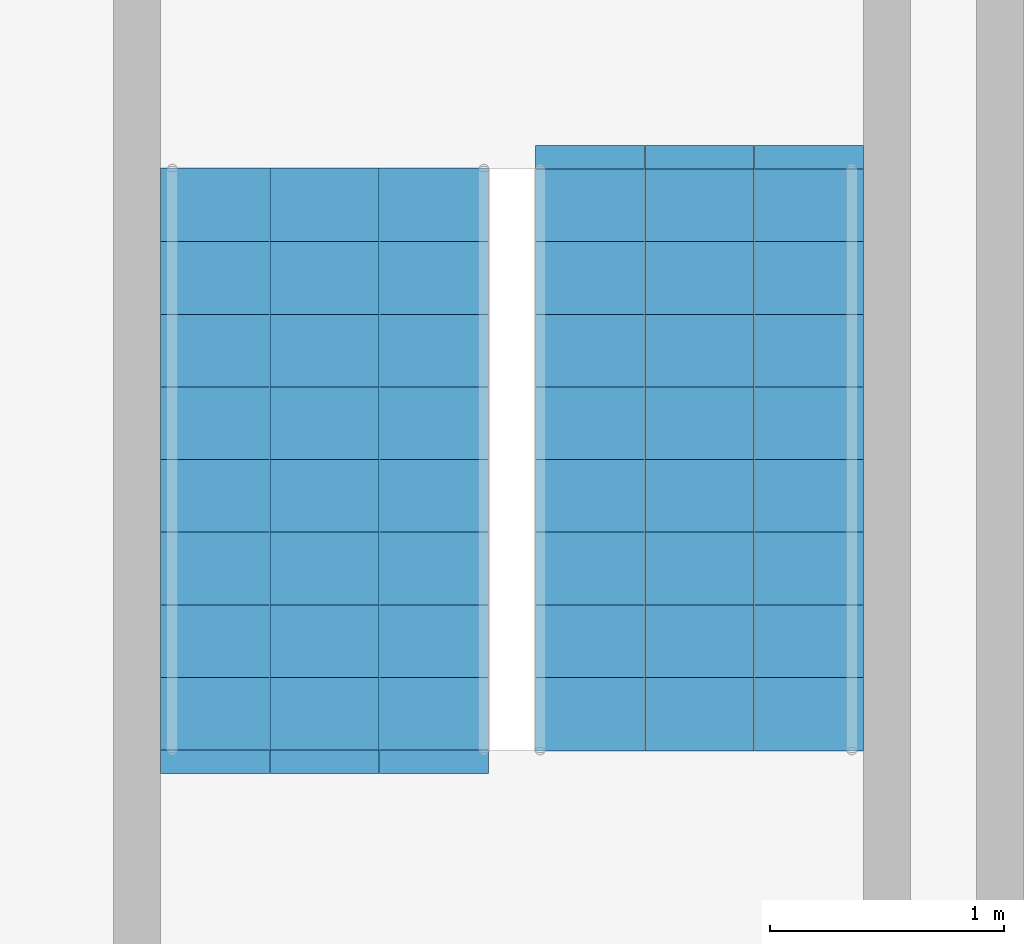
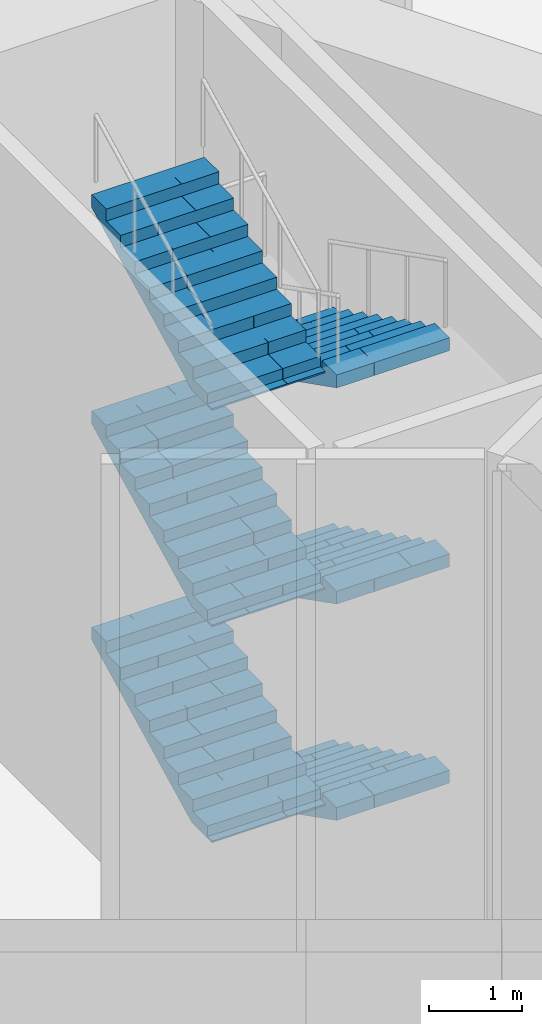
# One storey, part 34 of 41: 6 stair flights, 1 element without a shape of its own.
"""IFC4 building model written with IfcOpenShell, lengths in metres."""

from ifc_helpers import new_model, si_unit, direction, frame, origin, place, context, subcontext, project, spatial, polyline, outline, extrude, material, type_object, element, aggregate, save


model = new_model("IFC4")

# Units and contexts
model_context = context("Model", 3, precision=1e-05, world=origin(), true_north=direction((0.0, 1.0)))
body_context = subcontext(model_context, "Body", "Model", "MODEL_VIEW")
ifc_project = project(units=[si_unit("LENGTHUNIT", "METRE"), si_unit("AREAUNIT", "SQUARE_METRE"), si_unit("VOLUMEUNIT", "CUBIC_METRE"), si_unit("PLANEANGLEUNIT", "RADIAN"), si_unit("MASSUNIT", "GRAM", prefix="KILO")], contexts=[model_context])

# Site, building, storey
site_placement = place(None, origin())
site = spatial("IfcSite", under=ifc_project, at=site_placement, CompositionType="ELEMENT")
building_placement = place(site_placement, origin())
building = spatial("IfcBuilding", under=site, at=building_placement, Name="Triada Interchange Tower", CompositionType="ELEMENT")
storey_placement = place(building_placement, origin())
storey = spatial("IfcBuildingStorey", under=building, at=storey_placement, Name="L00", CompositionType="ELEMENT", Elevation=0.0)

# Stair, stair flights
ifc_material = material(Name="Concrete C35/45", Category="concrete")
stair_type = type_object("IfcStairType", Name="HALF TURN STAIR 1400", PredefinedType="HALF_TURN_STAIR", material=ifc_material)
stair_placement = place(storey_placement, origin())
stair = element("IfcStair", 1, at=stair_placement, inside=storey, type_object=stair_type, Name="Exit stair S00-1", PredefinedType="HALF_TURN_STAIR")
stair_flight_type = type_object("IfcStairFlightType", Name="STRAIGHT STAIR FLIGHT 1400", PredefinedType="STRAIGHT", material=ifc_material)
stair_flight_1_placement = place(storey_placement, frame((0.800048828125, 11.60009765625, 0.0), z_axis=(0.0, 0.0, 1.0), x_axis=(0.0, -1.0, 0.0)))
stair_flight_1 = element("IfcStairFlight", 2, at=stair_flight_1_placement, type_object=stair_flight_type, Name="S00-1 flight 1", NumberOfRisers=9, NumberOfTreads=8, PredefinedType="STRAIGHT", RiserHeight=0.15741, TreadLength=0.31, context=body_context, shape_type="SweptSolid", body=[
    extrude(outline(polyline([(-0.10009765625, 0.0), (-0.10009765625, 0.02001953125), (0.0, 0.02001953125), (0.0, 0.157470703125), (0.31005859375, 0.157470703125), (0.31005859375, 0.31494140625), (0.6201171875, 0.31494140625), (0.6201171875, 0.47216796875), (0.929931640625, 0.47216796875), (0.929931640625, 0.629638671875), (1.239990234375, 0.629638671875), (1.239990234375, 0.787109375), (1.550048828125, 0.787109375), (1.550048828125, 0.944580078125), (1.860107421875, 0.944580078125), (1.860107421875, 1.101806640625), (2.169921875, 1.101806640625), (2.169921875, 1.25927734375), (2.47998046875, 1.25927734375), (2.48388671875, 1.25927734375), (2.48388671875, 1.416748046875), (2.48388671875, 1.091064453125), (0.3310546875, 0.0), (-0.10009765625, 0.0)])), frame((0.0, 0.699951171875, 0.0), z_axis=(0.0, -1.0, 0.0), x_axis=(1.0, 0.0, 0.0)), (0.0, 0.0, 1.0), 0.46533203125),
    extrude(outline(polyline([(-0.10009765625, 0.0), (-0.10009765625, 0.02001953125), (0.0, 0.02001953125), (0.0, 0.157470703125), (0.31005859375, 0.157470703125), (0.31005859375, 0.31494140625), (0.6201171875, 0.31494140625), (0.6201171875, 0.47216796875), (0.929931640625, 0.47216796875), (0.929931640625, 0.629638671875), (1.239990234375, 0.629638671875), (1.239990234375, 0.787109375), (1.550048828125, 0.787109375), (1.550048828125, 0.944580078125), (1.860107421875, 0.944580078125), (1.860107421875, 1.101806640625), (2.169921875, 1.101806640625), (2.169921875, 1.25927734375), (2.47998046875, 1.25927734375), (2.48388671875, 1.25927734375), (2.48388671875, 1.416748046875), (2.48388671875, 1.091064453125), (0.3310546875, 0.0), (-0.10009765625, 0.0)])), frame((0.0, 0.232666015625, 0.0), z_axis=(0.0, -1.0, 0.0), x_axis=(1.0, 0.0, 0.0)), (0.0, 0.0, 1.0), 0.46533203125),
    extrude(outline(polyline([(-0.10009765625, 0.0), (-0.10009765625, 0.02001953125), (0.0, 0.02001953125), (0.0, 0.157470703125), (0.31005859375, 0.157470703125), (0.31005859375, 0.31494140625), (0.6201171875, 0.31494140625), (0.6201171875, 0.47216796875), (0.929931640625, 0.47216796875), (0.929931640625, 0.629638671875), (1.239990234375, 0.629638671875), (1.239990234375, 0.787109375), (1.550048828125, 0.787109375), (1.550048828125, 0.944580078125), (1.860107421875, 0.944580078125), (1.860107421875, 1.101806640625), (2.169921875, 1.101806640625), (2.169921875, 1.25927734375), (2.47998046875, 1.25927734375), (2.48388671875, 1.25927734375), (2.48388671875, 1.416748046875), (2.48388671875, 1.091064453125), (0.3310546875, 0.0), (-0.10009765625, 0.0)])), frame((0.0, -0.234619140625, 0.0), z_axis=(0.0, -1.0, 0.0), x_axis=(1.0, 0.0, 0.0)), (0.0, 0.0, 1.0), 0.46533203125),
])
stair_flight_2_placement = place(storey_placement, frame((-0.800048828125, 9.1201171875, 1.416748046875), z_axis=(0.0, 0.0, 1.0), x_axis=(0.0, 1.0, 0.0)))
stair_flight_2 = element("IfcStairFlight", 3, at=stair_flight_2_placement, type_object=stair_flight_type, Name="S00-1 flight 2", NumberOfRisers=9, NumberOfTreads=8, PredefinedType="STRAIGHT", RiserHeight=0.15741, TreadLength=0.31, context=body_context, shape_type="SweptSolid", body=[
    extrude(outline(polyline([(-0.10009765625, 0.0), (-0.10009765625, 0.02001953125), (0.0, 0.02001953125), (0.0, 0.157470703125), (0.31005859375, 0.157470703125), (0.31005859375, 0.31494140625), (0.6201171875, 0.31494140625), (0.6201171875, 0.47216796875), (0.929931640625, 0.47216796875), (0.929931640625, 0.629638671875), (1.239990234375, 0.629638671875), (1.239990234375, 0.787109375), (1.550048828125, 0.787109375), (1.550048828125, 0.944580078125), (1.860107421875, 0.944580078125), (1.860107421875, 1.101806640625), (2.169921875, 1.101806640625), (2.169921875, 1.25927734375), (2.47998046875, 1.25927734375), (2.48388671875, 1.25927734375), (2.48388671875, 1.416748046875), (2.48388671875, 1.091064453125), (0.3310546875, 0.0), (-0.10009765625, 0.0)])), frame((0.0, 0.699951171875, 0.0), z_axis=(0.0, -1.0, 0.0), x_axis=(1.0, 0.0, 0.0)), (0.0, 0.0, 1.0), 0.46533203125),
    extrude(outline(polyline([(-0.10009765625, 0.0), (-0.10009765625, 0.02001953125), (0.0, 0.02001953125), (0.0, 0.157470703125), (0.31005859375, 0.157470703125), (0.31005859375, 0.31494140625), (0.6201171875, 0.31494140625), (0.6201171875, 0.47216796875), (0.929931640625, 0.47216796875), (0.929931640625, 0.629638671875), (1.239990234375, 0.629638671875), (1.239990234375, 0.787109375), (1.550048828125, 0.787109375), (1.550048828125, 0.944580078125), (1.860107421875, 0.944580078125), (1.860107421875, 1.101806640625), (2.169921875, 1.101806640625), (2.169921875, 1.25927734375), (2.47998046875, 1.25927734375), (2.48388671875, 1.25927734375), (2.48388671875, 1.416748046875), (2.48388671875, 1.091064453125), (0.3310546875, 0.0), (-0.10009765625, 0.0)])), frame((0.0, 0.232666015625, 0.0), z_axis=(0.0, -1.0, 0.0), x_axis=(1.0, 0.0, 0.0)), (0.0, 0.0, 1.0), 0.46533203125),
    extrude(outline(polyline([(-0.10009765625, 0.0), (-0.10009765625, 0.02001953125), (0.0, 0.02001953125), (0.0, 0.157470703125), (0.31005859375, 0.157470703125), (0.31005859375, 0.31494140625), (0.6201171875, 0.31494140625), (0.6201171875, 0.47216796875), (0.929931640625, 0.47216796875), (0.929931640625, 0.629638671875), (1.239990234375, 0.629638671875), (1.239990234375, 0.787109375), (1.550048828125, 0.787109375), (1.550048828125, 0.944580078125), (1.860107421875, 0.944580078125), (1.860107421875, 1.101806640625), (2.169921875, 1.101806640625), (2.169921875, 1.25927734375), (2.47998046875, 1.25927734375), (2.48388671875, 1.25927734375), (2.48388671875, 1.416748046875), (2.48388671875, 1.091064453125), (0.3310546875, 0.0), (-0.10009765625, 0.0)])), frame((0.0, -0.234619140625, 0.0), z_axis=(0.0, -1.0, 0.0), x_axis=(1.0, 0.0, 0.0)), (0.0, 0.0, 1.0), 0.46533203125),
])
stair_flight_3_placement = place(storey_placement, frame((0.800048828125, 11.60009765625, 2.83349609375), z_axis=(0.0, 0.0, 1.0), x_axis=(0.0, -1.0, 0.0)))
stair_flight_3 = element("IfcStairFlight", 4, at=stair_flight_3_placement, type_object=stair_flight_type, Name="S00-1 flight 3", NumberOfRisers=9, NumberOfTreads=8, PredefinedType="STRAIGHT", RiserHeight=0.15741, TreadLength=0.31, context=body_context, shape_type="SweptSolid", body=[
    extrude(outline(polyline([(-0.10009765625, 0.0), (-0.10009765625, 0.02001953125), (0.0, 0.02001953125), (0.0, 0.157470703125), (0.31005859375, 0.157470703125), (0.31005859375, 0.31494140625), (0.6201171875, 0.31494140625), (0.6201171875, 0.47216796875), (0.929931640625, 0.47216796875), (0.929931640625, 0.629638671875), (1.239990234375, 0.629638671875), (1.239990234375, 0.787109375), (1.550048828125, 0.787109375), (1.550048828125, 0.944580078125), (1.860107421875, 0.944580078125), (1.860107421875, 1.101806640625), (2.169921875, 1.101806640625), (2.169921875, 1.25927734375), (2.47998046875, 1.25927734375), (2.48388671875, 1.25927734375), (2.48388671875, 1.416748046875), (2.48388671875, 1.091064453125), (0.3310546875, 0.0), (-0.10009765625, 0.0)])), frame((0.0, 0.699951171875, 0.0), z_axis=(0.0, -1.0, 0.0), x_axis=(1.0, 0.0, 0.0)), (0.0, 0.0, 1.0), 0.46533203125),
    extrude(outline(polyline([(-0.10009765625, 0.0), (-0.10009765625, 0.02001953125), (0.0, 0.02001953125), (0.0, 0.157470703125), (0.31005859375, 0.157470703125), (0.31005859375, 0.31494140625), (0.6201171875, 0.31494140625), (0.6201171875, 0.47216796875), (0.929931640625, 0.47216796875), (0.929931640625, 0.629638671875), (1.239990234375, 0.629638671875), (1.239990234375, 0.787109375), (1.550048828125, 0.787109375), (1.550048828125, 0.944580078125), (1.860107421875, 0.944580078125), (1.860107421875, 1.101806640625), (2.169921875, 1.101806640625), (2.169921875, 1.25927734375), (2.47998046875, 1.25927734375), (2.48388671875, 1.25927734375), (2.48388671875, 1.416748046875), (2.48388671875, 1.091064453125), (0.3310546875, 0.0), (-0.10009765625, 0.0)])), frame((0.0, 0.232666015625, 0.0), z_axis=(0.0, -1.0, 0.0), x_axis=(1.0, 0.0, 0.0)), (0.0, 0.0, 1.0), 0.46533203125),
    extrude(outline(polyline([(-0.10009765625, 0.0), (-0.10009765625, 0.02001953125), (0.0, 0.02001953125), (0.0, 0.157470703125), (0.31005859375, 0.157470703125), (0.31005859375, 0.31494140625), (0.6201171875, 0.31494140625), (0.6201171875, 0.47216796875), (0.929931640625, 0.47216796875), (0.929931640625, 0.629638671875), (1.239990234375, 0.629638671875), (1.239990234375, 0.787109375), (1.550048828125, 0.787109375), (1.550048828125, 0.944580078125), (1.860107421875, 0.944580078125), (1.860107421875, 1.101806640625), (2.169921875, 1.101806640625), (2.169921875, 1.25927734375), (2.47998046875, 1.25927734375), (2.48388671875, 1.25927734375), (2.48388671875, 1.416748046875), (2.48388671875, 1.091064453125), (0.3310546875, 0.0), (-0.10009765625, 0.0)])), frame((0.0, -0.234619140625, 0.0), z_axis=(0.0, -1.0, 0.0), x_axis=(1.0, 0.0, 0.0)), (0.0, 0.0, 1.0), 0.46533203125),
])
stair_flight_4_placement = place(storey_placement, frame((-0.800048828125, 9.1201171875, 4.25), z_axis=(0.0, 0.0, 1.0), x_axis=(0.0, 1.0, 0.0)))
stair_flight_4 = element("IfcStairFlight", 5, at=stair_flight_4_placement, type_object=stair_flight_type, Name="S00-1 flight 4", NumberOfRisers=9, NumberOfTreads=8, PredefinedType="STRAIGHT", RiserHeight=0.15741, TreadLength=0.31, context=body_context, shape_type="SweptSolid", body=[
    extrude(outline(polyline([(-0.10009765625, 0.0), (-0.10009765625, 0.02001953125), (0.0, 0.02001953125), (0.0, 0.157470703125), (0.31005859375, 0.157470703125), (0.31005859375, 0.31494140625), (0.6201171875, 0.31494140625), (0.6201171875, 0.47216796875), (0.929931640625, 0.47216796875), (0.929931640625, 0.629638671875), (1.239990234375, 0.629638671875), (1.239990234375, 0.787109375), (1.550048828125, 0.787109375), (1.550048828125, 0.944580078125), (1.860107421875, 0.944580078125), (1.860107421875, 1.101806640625), (2.169921875, 1.101806640625), (2.169921875, 1.25927734375), (2.47998046875, 1.25927734375), (2.48388671875, 1.25927734375), (2.48388671875, 1.416748046875), (2.48388671875, 1.091064453125), (0.3310546875, 0.0), (-0.10009765625, 0.0)])), frame((0.0, 0.699951171875, 0.0), z_axis=(0.0, -1.0, 0.0), x_axis=(1.0, 0.0, 0.0)), (0.0, 0.0, 1.0), 0.46533203125),
    extrude(outline(polyline([(-0.10009765625, 0.0), (-0.10009765625, 0.02001953125), (0.0, 0.02001953125), (0.0, 0.157470703125), (0.31005859375, 0.157470703125), (0.31005859375, 0.31494140625), (0.6201171875, 0.31494140625), (0.6201171875, 0.47216796875), (0.929931640625, 0.47216796875), (0.929931640625, 0.629638671875), (1.239990234375, 0.629638671875), (1.239990234375, 0.787109375), (1.550048828125, 0.787109375), (1.550048828125, 0.944580078125), (1.860107421875, 0.944580078125), (1.860107421875, 1.101806640625), (2.169921875, 1.101806640625), (2.169921875, 1.25927734375), (2.47998046875, 1.25927734375), (2.48388671875, 1.25927734375), (2.48388671875, 1.416748046875), (2.48388671875, 1.091064453125), (0.3310546875, 0.0), (-0.10009765625, 0.0)])), frame((0.0, 0.232666015625, 0.0), z_axis=(0.0, -1.0, 0.0), x_axis=(1.0, 0.0, 0.0)), (0.0, 0.0, 1.0), 0.46533203125),
    extrude(outline(polyline([(-0.10009765625, 0.0), (-0.10009765625, 0.02001953125), (0.0, 0.02001953125), (0.0, 0.157470703125), (0.31005859375, 0.157470703125), (0.31005859375, 0.31494140625), (0.6201171875, 0.31494140625), (0.6201171875, 0.47216796875), (0.929931640625, 0.47216796875), (0.929931640625, 0.629638671875), (1.239990234375, 0.629638671875), (1.239990234375, 0.787109375), (1.550048828125, 0.787109375), (1.550048828125, 0.944580078125), (1.860107421875, 0.944580078125), (1.860107421875, 1.101806640625), (2.169921875, 1.101806640625), (2.169921875, 1.25927734375), (2.47998046875, 1.25927734375), (2.48388671875, 1.25927734375), (2.48388671875, 1.416748046875), (2.48388671875, 1.091064453125), (0.3310546875, 0.0), (-0.10009765625, 0.0)])), frame((0.0, -0.234619140625, 0.0), z_axis=(0.0, -1.0, 0.0), x_axis=(1.0, 0.0, 0.0)), (0.0, 0.0, 1.0), 0.46533203125),
])
stair_flight_5_placement = place(storey_placement, frame((0.800048828125, 11.60009765625, 5.666748046875), z_axis=(0.0, 0.0, 1.0), x_axis=(0.0, -1.0, 0.0)))
stair_flight_5 = element("IfcStairFlight", 6, at=stair_flight_5_placement, type_object=stair_flight_type, Name="S00-1 flight 5", NumberOfRisers=9, NumberOfTreads=8, PredefinedType="STRAIGHT", RiserHeight=0.15741, TreadLength=0.31, context=body_context, shape_type="SweptSolid", body=[
    extrude(outline(polyline([(-0.10009765625, 0.0), (-0.10009765625, 0.02001953125), (0.0, 0.02001953125), (0.0, 0.157470703125), (0.31005859375, 0.157470703125), (0.31005859375, 0.31494140625), (0.6201171875, 0.31494140625), (0.6201171875, 0.47216796875), (0.929931640625, 0.47216796875), (0.929931640625, 0.629638671875), (1.239990234375, 0.629638671875), (1.239990234375, 0.787109375), (1.550048828125, 0.787109375), (1.550048828125, 0.944580078125), (1.860107421875, 0.944580078125), (1.860107421875, 1.101806640625), (2.169921875, 1.101806640625), (2.169921875, 1.25927734375), (2.47998046875, 1.25927734375), (2.48388671875, 1.25927734375), (2.48388671875, 1.416748046875), (2.48388671875, 1.091064453125), (0.3310546875, 0.0), (-0.10009765625, 0.0)])), frame((0.0, 0.699951171875, 0.0), z_axis=(0.0, -1.0, 0.0), x_axis=(1.0, 0.0, 0.0)), (0.0, 0.0, 1.0), 0.46533203125),
    extrude(outline(polyline([(-0.10009765625, 0.0), (-0.10009765625, 0.02001953125), (0.0, 0.02001953125), (0.0, 0.157470703125), (0.31005859375, 0.157470703125), (0.31005859375, 0.31494140625), (0.6201171875, 0.31494140625), (0.6201171875, 0.47216796875), (0.929931640625, 0.47216796875), (0.929931640625, 0.629638671875), (1.239990234375, 0.629638671875), (1.239990234375, 0.787109375), (1.550048828125, 0.787109375), (1.550048828125, 0.944580078125), (1.860107421875, 0.944580078125), (1.860107421875, 1.101806640625), (2.169921875, 1.101806640625), (2.169921875, 1.25927734375), (2.47998046875, 1.25927734375), (2.48388671875, 1.25927734375), (2.48388671875, 1.416748046875), (2.48388671875, 1.091064453125), (0.3310546875, 0.0), (-0.10009765625, 0.0)])), frame((0.0, 0.232666015625, 0.0), z_axis=(0.0, -1.0, 0.0), x_axis=(1.0, 0.0, 0.0)), (0.0, 0.0, 1.0), 0.46533203125),
    extrude(outline(polyline([(-0.10009765625, 0.0), (-0.10009765625, 0.02001953125), (0.0, 0.02001953125), (0.0, 0.157470703125), (0.31005859375, 0.157470703125), (0.31005859375, 0.31494140625), (0.6201171875, 0.31494140625), (0.6201171875, 0.47216796875), (0.929931640625, 0.47216796875), (0.929931640625, 0.629638671875), (1.239990234375, 0.629638671875), (1.239990234375, 0.787109375), (1.550048828125, 0.787109375), (1.550048828125, 0.944580078125), (1.860107421875, 0.944580078125), (1.860107421875, 1.101806640625), (2.169921875, 1.101806640625), (2.169921875, 1.25927734375), (2.47998046875, 1.25927734375), (2.48388671875, 1.25927734375), (2.48388671875, 1.416748046875), (2.48388671875, 1.091064453125), (0.3310546875, 0.0), (-0.10009765625, 0.0)])), frame((0.0, -0.234619140625, 0.0), z_axis=(0.0, -1.0, 0.0), x_axis=(1.0, 0.0, 0.0)), (0.0, 0.0, 1.0), 0.46533203125),
])
stair_flight_6_placement = place(storey_placement, frame((-0.800048828125, 9.1201171875, 7.08349609375), z_axis=(0.0, 0.0, 1.0), x_axis=(0.0, 1.0, 0.0)))
stair_flight_6 = element("IfcStairFlight", 7, at=stair_flight_6_placement, type_object=stair_flight_type, Name="S00-1 flight 6", NumberOfRisers=9, NumberOfTreads=8, PredefinedType="STRAIGHT", RiserHeight=0.15741, TreadLength=0.31, context=body_context, shape_type="SweptSolid", body=[
    extrude(outline(polyline([(-0.10009765625, 0.0), (-0.10009765625, 0.02001953125), (0.0, 0.02001953125), (0.0, 0.157470703125), (0.31005859375, 0.157470703125), (0.31005859375, 0.31494140625), (0.6201171875, 0.31494140625), (0.6201171875, 0.47216796875), (0.929931640625, 0.47216796875), (0.929931640625, 0.629638671875), (1.239990234375, 0.629638671875), (1.239990234375, 0.787109375), (1.550048828125, 0.787109375), (1.550048828125, 0.944580078125), (1.860107421875, 0.944580078125), (1.860107421875, 1.101806640625), (2.169921875, 1.101806640625), (2.169921875, 1.25927734375), (2.47998046875, 1.25927734375), (2.48388671875, 1.25927734375), (2.48388671875, 1.416748046875), (2.48388671875, 1.091064453125), (0.3310546875, 0.0), (-0.10009765625, 0.0)])), frame((0.0, 0.699951171875, 0.0), z_axis=(0.0, -1.0, 0.0), x_axis=(1.0, 0.0, 0.0)), (0.0, 0.0, 1.0), 0.46533203125),
    extrude(outline(polyline([(-0.10009765625, 0.0), (-0.10009765625, 0.02001953125), (0.0, 0.02001953125), (0.0, 0.157470703125), (0.31005859375, 0.157470703125), (0.31005859375, 0.31494140625), (0.6201171875, 0.31494140625), (0.6201171875, 0.47216796875), (0.929931640625, 0.47216796875), (0.929931640625, 0.629638671875), (1.239990234375, 0.629638671875), (1.239990234375, 0.787109375), (1.550048828125, 0.787109375), (1.550048828125, 0.944580078125), (1.860107421875, 0.944580078125), (1.860107421875, 1.101806640625), (2.169921875, 1.101806640625), (2.169921875, 1.25927734375), (2.47998046875, 1.25927734375), (2.48388671875, 1.25927734375), (2.48388671875, 1.416748046875), (2.48388671875, 1.091064453125), (0.3310546875, 0.0), (-0.10009765625, 0.0)])), frame((0.0, 0.232666015625, 0.0), z_axis=(0.0, -1.0, 0.0), x_axis=(1.0, 0.0, 0.0)), (0.0, 0.0, 1.0), 0.46533203125),
    extrude(outline(polyline([(-0.10009765625, 0.0), (-0.10009765625, 0.02001953125), (0.0, 0.02001953125), (0.0, 0.157470703125), (0.31005859375, 0.157470703125), (0.31005859375, 0.31494140625), (0.6201171875, 0.31494140625), (0.6201171875, 0.47216796875), (0.929931640625, 0.47216796875), (0.929931640625, 0.629638671875), (1.239990234375, 0.629638671875), (1.239990234375, 0.787109375), (1.550048828125, 0.787109375), (1.550048828125, 0.944580078125), (1.860107421875, 0.944580078125), (1.860107421875, 1.101806640625), (2.169921875, 1.101806640625), (2.169921875, 1.25927734375), (2.47998046875, 1.25927734375), (2.48388671875, 1.25927734375), (2.48388671875, 1.416748046875), (2.48388671875, 1.091064453125), (0.3310546875, 0.0), (-0.10009765625, 0.0)])), frame((0.0, -0.234619140625, 0.0), z_axis=(0.0, -1.0, 0.0), x_axis=(1.0, 0.0, 0.0)), (0.0, 0.0, 1.0), 0.46533203125),
])
aggregate(stair, [stair_flight_1, stair_flight_2, stair_flight_3, stair_flight_4, stair_flight_5, stair_flight_6])

save(model, "model.ifc")
